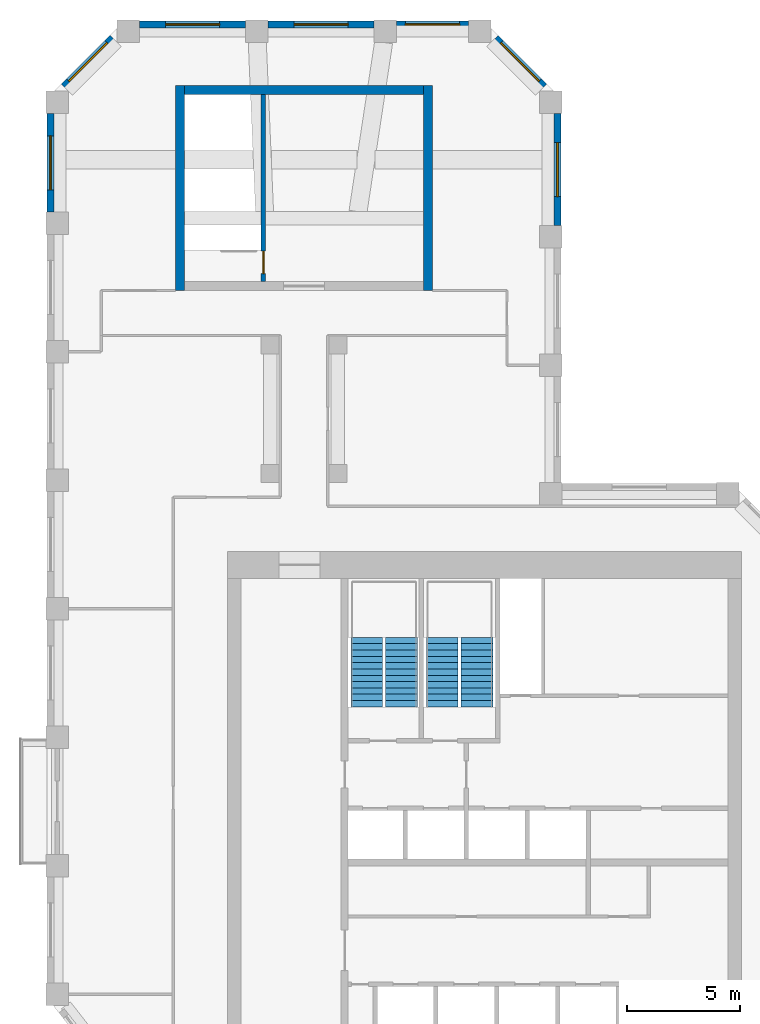
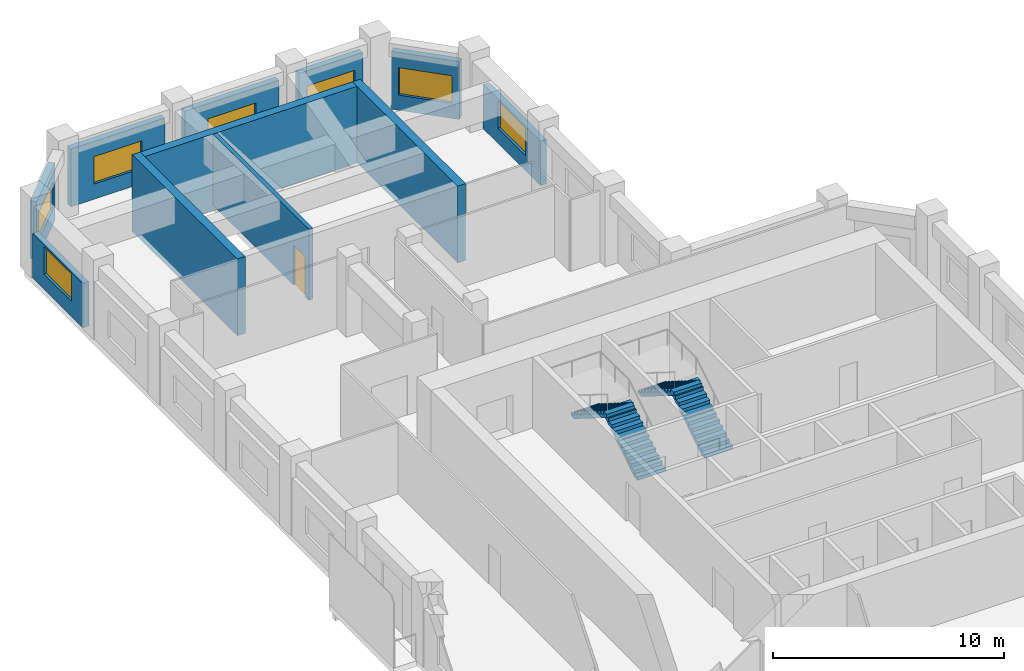
# One storey, part 8 of 9: 11 walls, 7 windows, 4 stair flights, 1 door, 8 openings, 2 elements without a shape of their own.
"""IFC4 building model written with IfcOpenShell, lengths in metres."""

from ifc_helpers import new_model, si_unit, direction, frame, frame_2d, origin, place, context, subcontext, project, spatial, polyline, rectangle, outline, extrude, material, layer, layer_set, type_object, element, fill, aggregate, save


model = new_model("IFC4")

# Units and contexts
model_context = context("Model", 3, precision=1e-05, world=origin(), true_north=direction((0.0, 1.0)))
body_context = subcontext(model_context, "Body", "Model", "MODEL_VIEW")
ifc_project = project(units=[si_unit("LENGTHUNIT", "METRE"), si_unit("AREAUNIT", "SQUARE_METRE"), si_unit("VOLUMEUNIT", "CUBIC_METRE"), si_unit("PLANEANGLEUNIT", "RADIAN"), si_unit("MASSUNIT", "GRAM", prefix="KILO")], contexts=[model_context])

# Site, building, storey
site_placement = place(None, origin())
site = spatial("IfcSite", under=ifc_project, at=site_placement, CompositionType="ELEMENT")
building_placement = place(site_placement, origin())
building = spatial("IfcBuilding", under=site, at=building_placement, Name="Meshkara Civic Tower", CompositionType="ELEMENT")
storey_placement = place(building_placement, frame((0.0, 0.0, 344.39990234375)))
storey = spatial("IfcBuildingStorey", under=building, at=storey_placement, Name="L79", CompositionType="ELEMENT", Elevation=344.39990234375)

# Wall, opening, window
ifc_material_1 = material(Name="Insulated infill panel with bronze anodised aluminium cladding", Category="aluminium")
ifc_layer_1 = layer(ifc_material_1, 0.300048828125)
ifc_layer_set_1 = layer_set([ifc_layer_1], Name="EXTERNAL INFILL WALL 300")
wall_type_1 = type_object("IfcWallType", Name="EXTERNAL INFILL WALL 300", PredefinedType="SOLIDWALL", material=ifc_layer_set_1)
wall_1_placement = place(storey_placement, frame((22.64990234375, 51.35009765625, 0.0), z_axis=(0.0, 0.0, 1.0), x_axis=(0.0, 1.0, 0.0)))
wall_1 = element("IfcWall", 1, at=wall_1_placement, inside=storey, type_object=wall_type_1, Name="External wall", PredefinedType="SOLIDWALL", context=body_context, shape_type="SweptSolid", body=[
    extrude(rectangle(XDim=4.9638671875, YDim=0.300048828125, at=frame_2d((2.48193359375, 0.0))), origin(), (0.0, 0.0, 1.0), 2.35009765625),
])
opening_1_placement = place(wall_1_placement, frame((1.281982421875, 0.0, 0.800048828125)))
opening_1 = element("IfcOpeningElement", 2, at=opening_1_placement, cuts=wall_1, Name="Opening W8", PredefinedType="OPENING", context=body_context, shape_type="SweptSolid", body=[
    extrude(rectangle(XDim=2.39990234375, YDim=1.449951171875, at=frame_2d((1.199951171875, 0.72509765625))), frame((0.0, 0.159912109375, 0.0), z_axis=(0.0, -1.0, 0.0), x_axis=(1.0, 0.0, 0.0)), (0.0, 0.0, 1.0), 0.320068359375),
])
ifc_material_2 = material(Name="Tinted double glazing", Category="glass")
window_type = type_object("IfcWindowType", Name="WINDOW 2400x1450", PartitioningType="DOUBLE_PANEL_VERTICAL", PredefinedType="WINDOW", material=ifc_material_2)
window_1_placement = place(opening_1_placement, origin())
window_1 = element("IfcWindow", 3, at=window_1_placement, inside=storey, type_object=window_type, Name="Window", OverallHeight=1.449951171875, OverallWidth=2.39990234375, PartitioningType="DOUBLE_PANEL_VERTICAL", PredefinedType="WINDOW", context=body_context, shape_type="SweptSolid", body=[
    extrude(rectangle(XDim=2.39990234375, YDim=1.449951171875, at=frame_2d((1.199951171875, 0.72509765625))), frame((0.0, 0.030029296875, 0.0), z_axis=(0.0, -1.0, 0.0), x_axis=(1.0, 0.0, 0.0)), (0.0, 0.0, 1.0), 0.06005859375),
])
fill(opening_1, window_1)

wall_2_placement = place(storey_placement, frame((22.06201171875, 57.52587890625, 0.0), z_axis=(0.0, 0.0, 1.0), x_axis=(-0.707106781187, 0.707106781187, 0.0)))
wall_2 = element("IfcWall", 4, at=wall_2_placement, inside=storey, type_object=wall_type_1, Name="External wall", PredefinedType="SOLIDWALL", context=body_context, shape_type="SweptSolid", body=[
    extrude(rectangle(XDim=3.049072265625, YDim=0.300048828125, at=frame_2d((1.5244140625, 0.0))), origin(), (0.0, 0.0, 1.0), 3.050048828125),
])
opening_2_placement = place(wall_2_placement, frame((0.324951171875, 0.0, 0.800048828125)))
opening_2 = element("IfcOpeningElement", 5, at=opening_2_placement, cuts=wall_2, Name="Opening W8", PredefinedType="OPENING", context=body_context, shape_type="SweptSolid", body=[
    extrude(rectangle(XDim=2.39990234375, YDim=1.449951171875, at=frame_2d((1.199951171875, 0.72509765625))), frame((0.0, 0.159912109375, 0.0), z_axis=(0.0, -1.0, 0.0), x_axis=(1.0, 0.0, 0.0)), (0.0, 0.0, 1.0), 0.320068359375),
])
window_2_placement = place(opening_2_placement, origin())
window_2 = element("IfcWindow", 6, at=window_2_placement, inside=storey, type_object=window_type, Name="Window", OverallHeight=1.449951171875, OverallWidth=2.39990234375, PartitioningType="DOUBLE_PANEL_VERTICAL", PredefinedType="WINDOW", context=body_context, shape_type="SweptSolid", body=[
    extrude(rectangle(XDim=2.39990234375, YDim=1.449951171875, at=frame_2d((1.199951171875, 0.72509765625))), frame((0.0, 0.030029296875, 0.0), z_axis=(0.0, -1.0, 0.0), x_axis=(1.0, 0.0, 0.0)), (0.0, 0.0, 1.0), 0.06005859375),
])
fill(opening_2, window_2)

wall_3_placement = place(storey_placement, frame((18.694091796875, 60.27001953125, 0.0), z_axis=(0.0, 0.0, 1.0), x_axis=(-1.0, 0.0, 0.0)))
wall_3 = element("IfcWall", 7, at=wall_3_placement, inside=storey, type_object=wall_type_1, Name="External wall", PredefinedType="SOLIDWALL", context=body_context, shape_type="SweptSolid", body=[
    extrude(rectangle(XDim=3.18798828125, YDim=0.300048828125, at=frame_2d((1.593994140625, 0.0))), origin(), (0.0, 0.0, 1.0), 3.050048828125),
])
opening_3_placement = place(wall_3_placement, frame((0.39404296875, 0.0, 0.800048828125)))
opening_3 = element("IfcOpeningElement", 8, at=opening_3_placement, cuts=wall_3, Name="Opening W8", PredefinedType="OPENING", context=body_context, shape_type="SweptSolid", body=[
    extrude(rectangle(XDim=2.39990234375, YDim=1.449951171875, at=frame_2d((1.199951171875, 0.72509765625))), frame((0.0, 0.159912109375, 0.0), z_axis=(0.0, -1.0, 0.0), x_axis=(1.0, 0.0, 0.0)), (0.0, 0.0, 1.0), 0.320068359375),
])
window_3_placement = place(opening_3_placement, origin())
window_3 = element("IfcWindow", 9, at=window_3_placement, inside=storey, type_object=window_type, Name="Window", OverallHeight=1.449951171875, OverallWidth=2.39990234375, PartitioningType="DOUBLE_PANEL_VERTICAL", PredefinedType="WINDOW", context=body_context, shape_type="SweptSolid", body=[
    extrude(rectangle(XDim=2.39990234375, YDim=1.449951171875, at=frame_2d((1.199951171875, 0.72509765625))), frame((0.0, 0.030029296875, 0.0), z_axis=(0.0, -1.0, 0.0), x_axis=(1.0, 0.0, 0.0)), (0.0, 0.0, 1.0), 0.06005859375),
])
fill(opening_3, window_3)

wall_4_placement = place(storey_placement, frame((14.506103515625, 60.27001953125, 0.0), z_axis=(0.0, 0.0, 1.0), x_axis=(-1.0, 0.0, 0.0)))
wall_4 = element("IfcWall", 10, at=wall_4_placement, inside=storey, type_object=wall_type_1, Name="External wall", PredefinedType="SOLIDWALL", context=body_context, shape_type="SweptSolid", body=[
    extrude(rectangle(XDim=4.7001953125, YDim=0.300048828125, at=frame_2d((2.35009765625, 0.0))), origin(), (0.0, 0.0, 1.0), 3.050048828125),
])
opening_4_placement = place(wall_4_placement, frame((1.14990234375, 0.0, 0.800048828125)))
opening_4 = element("IfcOpeningElement", 11, at=opening_4_placement, cuts=wall_4, Name="Opening W8", PredefinedType="OPENING", context=body_context, shape_type="SweptSolid", body=[
    extrude(rectangle(XDim=2.39990234375, YDim=1.449951171875, at=frame_2d((1.199951171875, 0.72509765625))), frame((0.0, 0.159912109375, 0.0), z_axis=(0.0, -1.0, 0.0), x_axis=(1.0, 0.0, 0.0)), (0.0, 0.0, 1.0), 0.320068359375),
])
window_4_placement = place(opening_4_placement, origin())
window_4 = element("IfcWindow", 12, at=window_4_placement, inside=storey, type_object=window_type, Name="Window", OverallHeight=1.449951171875, OverallWidth=2.39990234375, PartitioningType="DOUBLE_PANEL_VERTICAL", PredefinedType="WINDOW", context=body_context, shape_type="SweptSolid", body=[
    extrude(rectangle(XDim=2.39990234375, YDim=1.449951171875, at=frame_2d((1.199951171875, 0.72509765625))), frame((0.0, 0.030029296875, 0.0), z_axis=(0.0, -1.0, 0.0), x_axis=(1.0, 0.0, 0.0)), (0.0, 0.0, 1.0), 0.06005859375),
])
fill(opening_4, window_4)

wall_5_placement = place(storey_placement, frame((8.805908203125, 60.27001953125, 0.0), z_axis=(0.0, 0.0, 1.0), x_axis=(-1.0, 0.0, 0.0)))
wall_5 = element("IfcWall", 13, at=wall_5_placement, inside=storey, type_object=wall_type_1, Name="External wall", PredefinedType="SOLIDWALL", context=body_context, shape_type="SweptSolid", body=[
    extrude(rectangle(XDim=4.699951171875, YDim=0.300048828125, at=frame_2d((2.35009765625, 0.0))), origin(), (0.0, 0.0, 1.0), 3.050048828125),
])
opening_5_placement = place(wall_5_placement, frame((1.14990234375, 0.0, 0.800048828125)))
opening_5 = element("IfcOpeningElement", 14, at=opening_5_placement, cuts=wall_5, Name="Opening W8", PredefinedType="OPENING", context=body_context, shape_type="SweptSolid", body=[
    extrude(rectangle(XDim=2.39990234375, YDim=1.449951171875, at=frame_2d((1.199951171875, 0.72509765625))), frame((0.0, 0.159912109375, 0.0), z_axis=(0.0, -1.0, 0.0), x_axis=(1.0, 0.0, 0.0)), (0.0, 0.0, 1.0), 0.320068359375),
])
window_5_placement = place(opening_5_placement, origin())
window_5 = element("IfcWindow", 15, at=window_5_placement, inside=storey, type_object=window_type, Name="Window", OverallHeight=1.449951171875, OverallWidth=2.39990234375, PartitioningType="DOUBLE_PANEL_VERTICAL", PredefinedType="WINDOW", context=body_context, shape_type="SweptSolid", body=[
    extrude(rectangle(XDim=2.39990234375, YDim=1.449951171875, at=frame_2d((1.199951171875, 0.72509765625))), frame((0.0, 0.030029296875, 0.0), z_axis=(0.0, -1.0, 0.0), x_axis=(1.0, 0.0, 0.0)), (0.0, 0.0, 1.0), 0.06005859375),
])
fill(opening_5, window_5)

wall_6_placement = place(storey_placement, frame((2.89404296875, 59.681884765625, 0.0), z_axis=(0.0, 0.0, 1.0), x_axis=(-0.707106781187, -0.707106781187, 0.0)))
wall_6 = element("IfcWall", 16, at=wall_6_placement, inside=storey, type_object=wall_type_1, Name="External wall", PredefinedType="SOLIDWALL", context=body_context, shape_type="SweptSolid", body=[
    extrude(rectangle(XDim=3.049072265625, YDim=0.300048828125, at=frame_2d((1.5244140625, 0.0))), origin(), (0.0, 0.0, 1.0), 3.050048828125),
])
opening_6_placement = place(wall_6_placement, frame((0.324951171875, 0.0, 0.800048828125)))
opening_6 = element("IfcOpeningElement", 17, at=opening_6_placement, cuts=wall_6, Name="Opening W8", PredefinedType="OPENING", context=body_context, shape_type="SweptSolid", body=[
    extrude(rectangle(XDim=2.39990234375, YDim=1.449951171875, at=frame_2d((1.199951171875, 0.72509765625))), frame((0.0, 0.159912109375, 0.0), z_axis=(0.0, -1.0, 0.0), x_axis=(1.0, 0.0, 0.0)), (0.0, 0.0, 1.0), 0.320068359375),
])
window_6_placement = place(opening_6_placement, origin())
window_6 = element("IfcWindow", 18, at=window_6_placement, inside=storey, type_object=window_type, Name="Window", OverallHeight=1.449951171875, OverallWidth=2.39990234375, PartitioningType="DOUBLE_PANEL_VERTICAL", PredefinedType="WINDOW", context=body_context, shape_type="SweptSolid", body=[
    extrude(rectangle(XDim=2.39990234375, YDim=1.449951171875, at=frame_2d((1.199951171875, 0.72509765625))), frame((0.0, 0.030029296875, 0.0), z_axis=(0.0, -1.0, 0.0), x_axis=(1.0, 0.0, 0.0)), (0.0, 0.0, 1.0), 0.06005859375),
])
fill(opening_6, window_6)

wall_7_placement = place(storey_placement, frame((0.14990234375, 56.31396484375, 0.0), z_axis=(0.0, 0.0, 1.0), x_axis=(0.0, -1.0, 0.0)))
wall_7 = element("IfcWall", 19, at=wall_7_placement, inside=storey, type_object=wall_type_1, Name="External wall", PredefinedType="SOLIDWALL", context=body_context, shape_type="SweptSolid", body=[
    extrude(rectangle(XDim=4.35888671875, YDim=0.300048828125, at=frame_2d((2.179443359375, 0.0))), origin(), (0.0, 0.0, 1.0), 2.35009765625),
])
opening_7_placement = place(wall_7_placement, frame((0.97998046875, 0.0, 0.800048828125)))
opening_7 = element("IfcOpeningElement", 20, at=opening_7_placement, cuts=wall_7, Name="Opening W8", PredefinedType="OPENING", context=body_context, shape_type="SweptSolid", body=[
    extrude(rectangle(XDim=2.39990234375, YDim=1.449951171875, at=frame_2d((1.199951171875, 0.72509765625))), frame((0.0, 0.159912109375, 0.0), z_axis=(0.0, -1.0, 0.0), x_axis=(1.0, 0.0, 0.0)), (0.0, 0.0, 1.0), 0.320068359375),
])
window_7_placement = place(opening_7_placement, origin())
window_7 = element("IfcWindow", 21, at=window_7_placement, inside=storey, type_object=window_type, Name="Window", OverallHeight=1.449951171875, OverallWidth=2.39990234375, PartitioningType="DOUBLE_PANEL_VERTICAL", PredefinedType="WINDOW", context=body_context, shape_type="SweptSolid", body=[
    extrude(rectangle(XDim=2.39990234375, YDim=1.449951171875, at=frame_2d((1.199951171875, 0.72509765625))), frame((0.0, 0.030029296875, 0.0), z_axis=(0.0, -1.0, 0.0), x_axis=(1.0, 0.0, 0.0)), (0.0, 0.0, 1.0), 0.06005859375),
])
fill(opening_7, window_7)

# Walls
ifc_material_3 = material(Name="Concrete C60", Category="concrete")
ifc_layer_2 = layer(ifc_material_3, 0.39990234375)
ifc_layer_set_2 = layer_set([ifc_layer_2], Name="End core ring wall 400 C60")
wall_type_2 = type_object("IfcWallType", Name="End core ring wall 400 C60", PredefinedType="SHEAR", material=ifc_layer_set_2)
for number, where, z_axis, x_axis, name in (
    (22, (5.89990234375, 48.469970703125, -0.2998046875), (0.0, 0.0, 1.0), (0.0, 1.0, 0.0), "L79-C026"),
    (23, (16.89990234375, 48.469970703125, -0.2998046875), (0.0, 0.0, 1.0), (0.0, 1.0, 0.0), "L79-C027"),
):
    element("IfcWall", number, at=place(storey_placement, frame(where, z_axis=z_axis, x_axis=x_axis)), inside=storey, type_object=wall_type_2, Name=name, PredefinedType="SHEAR", context=body_context, shape_type="SweptSolid", body=[
        extrude(rectangle(XDim=9.10009765625, YDim=0.39990234375, at=frame_2d((4.550048828125, 0.0))), origin(), (0.0, 0.0, 1.0), 4.0498046875),
    ])
wall_8_placement = place(storey_placement, frame((6.10009765625, 57.3701171875, -0.2998046875), z_axis=(0.0, 0.0, 1.0), x_axis=(1.0, 0.0, 0.0)))
element("IfcWall", 24, at=wall_8_placement, inside=storey, type_object=wall_type_2, Name="L79-C029", PredefinedType="SHEAR", context=body_context, shape_type="SweptSolid", body=[
    extrude(rectangle(XDim=10.599853515625, YDim=0.39990234375, at=frame_2d((5.2998046875, 0.0))), origin(), (0.0, 0.0, 1.0), 4.0498046875),
])

# Wall, opening, door
ifc_material_4 = material(Name="Concrete C40/50", Category="concrete")
ifc_layer_3 = layer(ifc_material_4, 0.199951171875)
ifc_layer_set_3 = layer_set([ifc_layer_3], Name="Stair enclosure wall 200 C40/50")
wall_type_3 = type_object("IfcWallType", Name="Stair enclosure wall 200 C40/50", PredefinedType="SOLIDWALL", material=ifc_layer_set_3)
wall_9_placement = place(storey_placement, frame((9.60009765625, 48.8701171875, 0.0), z_axis=(0.0, 0.0, 1.0), x_axis=(0.0, 1.0, 0.0)))
wall_9 = element("IfcWall", 25, at=wall_9_placement, inside=storey, type_object=wall_type_3, Name="L79-C030", PredefinedType="SOLIDWALL", context=body_context, shape_type="SweptSolid", body=[
    extrude(rectangle(XDim=8.2998046875, YDim=0.199951171875, at=frame_2d((4.14990234375, 0.0))), origin(), (0.0, 0.0, 1.0), 3.75),
])
opening_8_placement = place(wall_9_placement, frame((0.35009765625, 0.0, 0.0)))
opening_8 = element("IfcOpeningElement", 26, at=opening_8_placement, cuts=wall_9, Name="Opening L79-K101", PredefinedType="OPENING", context=body_context, shape_type="SweptSolid", body=[
    extrude(rectangle(XDim=1.0, YDim=2.10009765625, at=frame_2d((0.5, 1.050048828125))), frame((0.0, 0.10986328125, 0.0), z_axis=(0.0, -1.0, 0.0), x_axis=(1.0, 0.0, 0.0)), (0.0, 0.0, 1.0), 0.219970703125),
])
ifc_material_5 = material(Name="Fire-rated door leaf in steel frame", Category="steel")
door_type = type_object("IfcDoorType", Name="Stair door 1000 EI 120", OperationType="SINGLE_SWING_LEFT", PredefinedType="DOOR", material=ifc_material_5)
door_placement = place(opening_8_placement, origin())
door = element("IfcDoor", 27, at=door_placement, inside=storey, type_object=door_type, Name="L79-K101", OperationType="SINGLE_SWING_RIGHT", OverallHeight=2.10009765625, OverallWidth=1.0, PredefinedType="DOOR", context=body_context, shape_type="SweptSolid", body=[
    extrude(rectangle(XDim=1.0, YDim=2.10009765625, at=frame_2d((0.5, 1.050048828125))), frame((0.0, 0.02490234375, 0.0), z_axis=(0.0, -1.0, 0.0), x_axis=(1.0, 0.0, 0.0)), (0.0, 0.0, 1.0), 0.050048828125),
])
fill(opening_8, door)

# Stair, stair flights
ifc_material_6 = material(Name="Precast concrete C40/50", Category="concrete")
stair_type = type_object("IfcStairType", Name="Exit stair half-turn 24 risers precast", PredefinedType="HALF_TURN_STAIR", material=ifc_material_6)
stair_1_placement = place(storey_placement, origin())
stair_1 = element("IfcStair", 28, at=stair_1_placement, inside=storey, type_object=stair_type, Name="L79 exit stair 1", PredefinedType="HALF_TURN_STAIR")
ifc_material_7 = material(Name="Precast concrete C40/50", Category="concrete")
stair_flight_type = type_object("IfcStairFlightType", Name="Exit stair flight 12 risers precast", PredefinedType="STRAIGHT", material=ifc_material_7)
stair_flight_1_placement = place(storey_placement, frame((15.72509765625, 30.0, 0.0), z_axis=(0.0, 0.0, 1.0), x_axis=(0.0, 1.0, 0.0)))
stair_flight_1 = element("IfcStairFlight", 29, at=stair_flight_1_placement, type_object=stair_flight_type, Name="ST1 flight 1", NumberOfRisers=12, NumberOfTreads=11, PredefinedType="STRAIGHT", RiserHeight=0.175, TreadLength=0.28, context=body_context, shape_type="SweptSolid", body=[
    extrude(outline(polyline([(0.0, 0.0), (0.0, 0.175048828125), (0.280029296875, 0.175048828125), (0.280029296875, 0.35009765625), (0.56005859375, 0.35009765625), (0.56005859375, 0.52490234375), (0.840087890625, 0.52490234375), (0.840087890625, 0.699951171875), (1.1201171875, 0.699951171875), (1.1201171875, 0.875), (1.39990234375, 0.875), (1.39990234375, 1.050048828125), (1.679931640625, 1.050048828125), (1.679931640625, 1.22509765625), (1.9599609375, 1.22509765625), (1.9599609375, 1.39990234375), (2.239990234375, 1.39990234375), (2.239990234375, 1.574951171875), (2.52001953125, 1.574951171875), (2.52001953125, 1.75), (2.800048828125, 1.75), (2.800048828125, 1.925048828125), (3.080078125, 1.925048828125), (3.080078125, 2.10009765625), (3.080078125, 1.748291015625), (0.28271484375, 0.0), (0.0, 0.0)])), frame((0.0, 0.699951171875, 0.0), z_axis=(0.0, -1.0, 0.0), x_axis=(1.0, 0.0, 0.0)), (0.0, 0.0, 1.0), 1.39990234375),
])
stair_flight_2_placement = place(storey_placement, frame((14.175048828125, 33.080078125, 2.10009765625), z_axis=(0.0, 0.0, 1.0), x_axis=(0.0, -1.0, 0.0)))
stair_flight_2 = element("IfcStairFlight", 30, at=stair_flight_2_placement, type_object=stair_flight_type, Name="ST1 flight 2", NumberOfRisers=12, NumberOfTreads=11, PredefinedType="STRAIGHT", RiserHeight=0.175, TreadLength=0.28, context=body_context, shape_type="SweptSolid", body=[
    extrude(outline(polyline([(0.0, 0.0), (0.0, 0.175048828125), (0.280029296875, 0.175048828125), (0.280029296875, 0.35009765625), (0.56005859375, 0.35009765625), (0.56005859375, 0.52490234375), (0.840087890625, 0.52490234375), (0.840087890625, 0.699951171875), (1.1201171875, 0.699951171875), (1.1201171875, 0.875), (1.39990234375, 0.875), (1.39990234375, 1.050048828125), (1.679931640625, 1.050048828125), (1.679931640625, 1.22509765625), (1.9599609375, 1.22509765625), (1.9599609375, 1.39990234375), (2.239990234375, 1.39990234375), (2.239990234375, 1.574951171875), (2.52001953125, 1.574951171875), (2.52001953125, 1.75), (2.800048828125, 1.75), (2.800048828125, 1.925048828125), (3.080078125, 1.925048828125), (3.080078125, 2.10009765625), (3.080078125, 1.748291015625), (0.28271484375, 0.0), (0.0, 0.0)])), frame((0.0, 0.699951171875, 0.0), z_axis=(0.0, -1.0, 0.0), x_axis=(1.0, 0.0, 0.0)), (0.0, 0.0, 1.0), 1.39990234375),
])
aggregate(stair_1, [stair_flight_1, stair_flight_2])

stair_2_placement = place(storey_placement, origin())
stair_2 = element("IfcStair", 31, at=stair_2_placement, inside=storey, type_object=stair_type, Name="L79 exit stair 2", PredefinedType="HALF_TURN_STAIR")
stair_flight_3_placement = place(storey_placement, frame((19.074951171875, 30.0, 0.0), z_axis=(0.0, 0.0, 1.0), x_axis=(0.0, 1.0, 0.0)))
stair_flight_3 = element("IfcStairFlight", 32, at=stair_flight_3_placement, type_object=stair_flight_type, Name="ST2 flight 1", NumberOfRisers=12, NumberOfTreads=11, PredefinedType="STRAIGHT", RiserHeight=0.175, TreadLength=0.28, context=body_context, shape_type="SweptSolid", body=[
    extrude(outline(polyline([(0.0, 0.0), (0.0, 0.175048828125), (0.280029296875, 0.175048828125), (0.280029296875, 0.35009765625), (0.56005859375, 0.35009765625), (0.56005859375, 0.52490234375), (0.840087890625, 0.52490234375), (0.840087890625, 0.699951171875), (1.1201171875, 0.699951171875), (1.1201171875, 0.875), (1.39990234375, 0.875), (1.39990234375, 1.050048828125), (1.679931640625, 1.050048828125), (1.679931640625, 1.22509765625), (1.9599609375, 1.22509765625), (1.9599609375, 1.39990234375), (2.239990234375, 1.39990234375), (2.239990234375, 1.574951171875), (2.52001953125, 1.574951171875), (2.52001953125, 1.75), (2.800048828125, 1.75), (2.800048828125, 1.925048828125), (3.080078125, 1.925048828125), (3.080078125, 2.10009765625), (3.080078125, 1.748291015625), (0.28271484375, 0.0), (0.0, 0.0)])), frame((0.0, 0.699951171875, 0.0), z_axis=(0.0, -1.0, 0.0), x_axis=(1.0, 0.0, 0.0)), (0.0, 0.0, 1.0), 1.39990234375),
])
stair_flight_4_placement = place(storey_placement, frame((17.52490234375, 33.080078125, 2.10009765625), z_axis=(0.0, 0.0, 1.0), x_axis=(0.0, -1.0, 0.0)))
stair_flight_4 = element("IfcStairFlight", 33, at=stair_flight_4_placement, type_object=stair_flight_type, Name="ST2 flight 2", NumberOfRisers=12, NumberOfTreads=11, PredefinedType="STRAIGHT", RiserHeight=0.175, TreadLength=0.28, context=body_context, shape_type="SweptSolid", body=[
    extrude(outline(polyline([(0.0, 0.0), (0.0, 0.175048828125), (0.280029296875, 0.175048828125), (0.280029296875, 0.35009765625), (0.56005859375, 0.35009765625), (0.56005859375, 0.52490234375), (0.840087890625, 0.52490234375), (0.840087890625, 0.699951171875), (1.1201171875, 0.699951171875), (1.1201171875, 0.875), (1.39990234375, 0.875), (1.39990234375, 1.050048828125), (1.679931640625, 1.050048828125), (1.679931640625, 1.22509765625), (1.9599609375, 1.22509765625), (1.9599609375, 1.39990234375), (2.239990234375, 1.39990234375), (2.239990234375, 1.574951171875), (2.52001953125, 1.574951171875), (2.52001953125, 1.75), (2.800048828125, 1.75), (2.800048828125, 1.925048828125), (3.080078125, 1.925048828125), (3.080078125, 2.10009765625), (3.080078125, 1.748291015625), (0.28271484375, 0.0), (0.0, 0.0)])), frame((0.0, 0.699951171875, 0.0), z_axis=(0.0, -1.0, 0.0), x_axis=(1.0, 0.0, 0.0)), (0.0, 0.0, 1.0), 1.39990234375),
])
aggregate(stair_2, [stair_flight_3, stair_flight_4])

save(model, "model.ifc")
